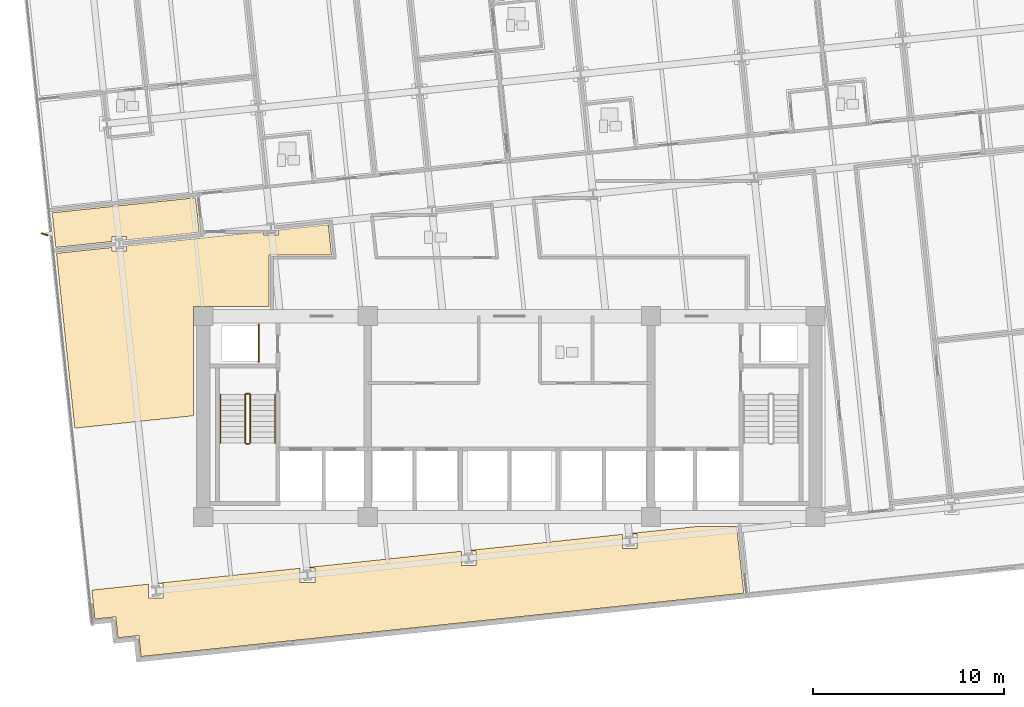
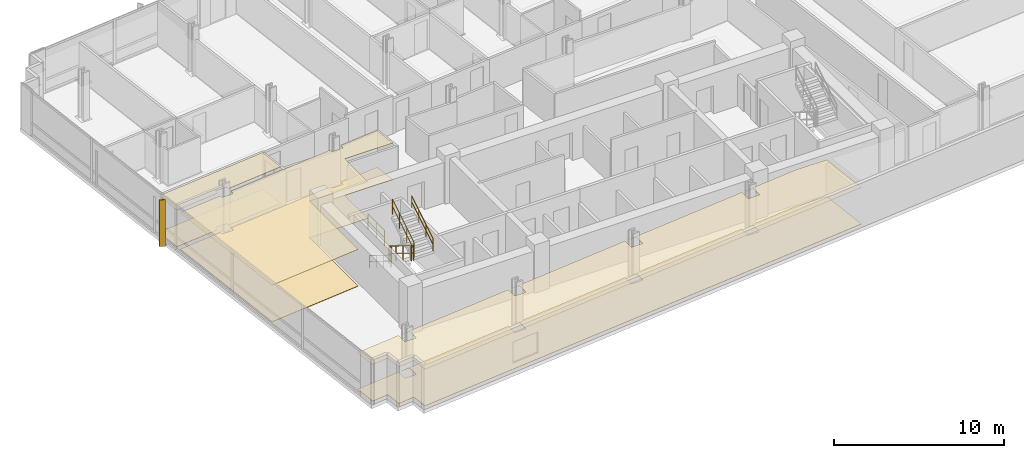
# One storey, part 15 of 20: 7 railings, 6 coverings, 1 shading device.
"""IFC4 building model written with IfcOpenShell, lengths in metres."""

from ifc_helpers import new_model, si_unit, direction, frame, origin, origin_2d, place, context, subcontext, project, spatial, polyline, rectangle, circle, outline, extrude, material, layer, layer_set, type_object, element, save


model = new_model("IFC4")

# Units and contexts
model_context = context("Model", 3, precision=1e-05, world=origin(), true_north=direction((0.0, 1.0)))
body_context = subcontext(model_context, "Body", "Model", "MODEL_VIEW")
ifc_project = project(units=[si_unit("LENGTHUNIT", "METRE"), si_unit("AREAUNIT", "SQUARE_METRE"), si_unit("VOLUMEUNIT", "CUBIC_METRE"), si_unit("PLANEANGLEUNIT", "RADIAN"), si_unit("MASSUNIT", "GRAM", prefix="KILO")], contexts=[model_context])

# Site, building, storey
site_placement = place(None, origin())
site = spatial("IfcSite", under=ifc_project, at=site_placement, CompositionType="ELEMENT")
building_placement = place(site_placement, origin())
building = spatial("IfcBuilding", under=site, at=building_placement, Name="Solmavex Isthmus Hotel", CompositionType="ELEMENT")
storey_placement = place(building_placement, frame((0.0, 0.0, 87.0)))
storey = spatial("IfcBuildingStorey", under=building, at=storey_placement, Name="L23", CompositionType="ELEMENT", Elevation=87.0)

# Coverings
ifc_material_1 = material(Name="Gypsum plasterboard lining", Category="gypsum")
ifc_layer_1 = layer(ifc_material_1, 0.030029296875)
ifc_layer_set_1 = layer_set([ifc_layer_1], Name="Gypsum plasterboard lining")
covering_type_1 = type_object("IfcCoveringType", Name="COV-CEIL-GYP", PredefinedType="CEILING", material=ifc_layer_set_1)
covering_1_placement = place(storey_placement, frame((0.0, 0.0, 2.6201171875)))
element("IfcCovering", 1, at=covering_1_placement, inside=storey, type_object=covering_type_1, Name="Suspended Acoustic Ceiling L23-FL11", PredefinedType="CEILING", context=body_context, shape_type="SweptSolid", body=[
    extrude(outline(polyline([(-16.20947265625, 1.88037109375), (-16.399658203125, 3.690185546875), (-23.896240234375, 2.90234375), (-23.7060546875, 1.09228515625), (-20.76318359375, 1.401611328125), (-20.76318359375, 1.665771484375), (-20.003173828125, 1.665771484375), (-20.003173828125, 1.4814453125), (-16.20947265625, 1.88037109375)])), origin(), (0.0, 0.0, 1.0), 0.02978515625),
])
covering_2_placement = place(storey_placement, frame((0.0, 0.0, 2.6201171875)))
element("IfcCovering", 2, at=covering_2_placement, inside=storey, type_object=covering_type_1, Name="Suspended Acoustic Ceiling L23-FL15", PredefinedType="CEILING", context=body_context, shape_type="SweptSolid", body=[
    extrude(outline(polyline([(-20.003173828125, 1.169921875), (-20.003173828125, 0.90576171875), (-20.76318359375, 0.90576171875), (-20.76318359375, 1.08984375), (-23.673583984375, 0.783935546875), (-23.130615234375, -4.382568359375), (-22.713134765625, -8.355712890625), (-16.5048828125, -7.703125), (-16.5048828125, -1.9951171875), (-12.554931640625, -1.9951171875), (-12.554931640625, 0.705078125), (-9.295654296875, 0.705078125), (-9.4609375, 2.27783203125), (-12.078857421875, 2.002685546875), (-12.078857421875, 1.738525390625), (-12.8388671875, 1.738525390625), (-12.8388671875, 1.9228515625), (-20.003173828125, 1.169921875)])), origin(), (0.0, 0.0, 1.0), 0.02978515625),
])
covering_3_placement = place(storey_placement, frame((0.0, 0.0, 2.6201171875)))
element("IfcCovering", 3, at=covering_3_placement, inside=storey, type_object=covering_type_1, Name="Suspended Acoustic Ceiling L23-FL18", PredefinedType="CEILING", context=body_context, shape_type="SweptSolid", body=[
    extrude(outline(polyline([(-20.57080078125, -18.2158203125), (-20.455810546875, -19.3095703125), (-19.36181640625, -19.194580078125), (-19.246826171875, -20.28857421875), (-18.42626953125, -20.202392578125), (12.249755859375, -16.978271484375), (11.884765625, -13.5048828125), (9.70703125, -13.5048828125), (6.124755859375, -13.881591796875), (6.668212890625, -13.881591796875), (6.668212890625, -14.6416015625), (5.908203125, -14.6416015625), (5.908203125, -13.904296875), (-2.294921875, -14.766357421875), (-1.75146484375, -14.766357421875), (-1.75146484375, -15.5263671875), (-2.511474609375, -15.5263671875), (-2.511474609375, -14.789306640625), (-10.714599609375, -15.6513671875), (-10.171142578125, -15.6513671875), (-10.171142578125, -16.411376953125), (-10.93115234375, -16.411376953125), (-10.93115234375, -15.674072265625), (-18.638916015625, -16.484375), (-18.095458984375, -16.484375), (-18.095458984375, -17.244384765625), (-18.85546875, -17.244384765625), (-18.85546875, -16.507080078125), (-21.823486328125, -16.819091796875), (-21.7509765625, -17.51025390625), (-21.66455078125, -18.33056640625), (-20.57080078125, -18.2158203125)])), origin(), (0.0, 0.0, 1.0), 0.02978515625),
])
ifc_material_2 = material(Name="Travertine natural stone", Category="masonry")
ifc_layer_2 = layer(ifc_material_2, 0.02490234375)
ifc_layer_set_2 = layer_set([ifc_layer_2], Name="Travertine natural stone")
covering_type_2 = type_object("IfcCoveringType", Name="COV-FLOR-STN", PredefinedType="FLOORING", material=ifc_layer_set_2)
covering_4_placement = place(storey_placement, origin())
element("IfcCovering", 4, at=covering_4_placement, inside=storey, type_object=covering_type_2, Name="Stone and Timber Floor Finish L23-FL11", PredefinedType="FLOORING", context=body_context, shape_type="SweptSolid", body=[
    extrude(outline(polyline([(-16.20947265625, 1.88037109375), (-16.399658203125, 3.690185546875), (-23.896240234375, 2.90234375), (-23.7060546875, 1.09228515625), (-20.76318359375, 1.401611328125), (-20.76318359375, 1.665771484375), (-20.003173828125, 1.665771484375), (-20.003173828125, 1.4814453125), (-16.20947265625, 1.88037109375)])), origin(), (0.0, 0.0, 1.0), 0.02490234375),
])
covering_5_placement = place(storey_placement, origin())
element("IfcCovering", 5, at=covering_5_placement, inside=storey, type_object=covering_type_2, Name="Stone and Timber Floor Finish L23-FL15", PredefinedType="FLOORING", context=body_context, shape_type="SweptSolid", body=[
    extrude(outline(polyline([(-20.003173828125, 1.169921875), (-20.003173828125, 0.90576171875), (-20.76318359375, 0.90576171875), (-20.76318359375, 1.08984375), (-23.673583984375, 0.783935546875), (-23.130615234375, -4.382568359375), (-22.713134765625, -8.355712890625), (-16.5048828125, -7.703125), (-16.5048828125, -1.9951171875), (-12.554931640625, -1.9951171875), (-12.554931640625, 0.705078125), (-9.295654296875, 0.705078125), (-9.4609375, 2.27783203125), (-12.078857421875, 2.002685546875), (-12.078857421875, 1.738525390625), (-12.8388671875, 1.738525390625), (-12.8388671875, 1.9228515625), (-20.003173828125, 1.169921875)])), origin(), (0.0, 0.0, 1.0), 0.02490234375),
])
covering_6_placement = place(storey_placement, origin())
element("IfcCovering", 6, at=covering_6_placement, inside=storey, type_object=covering_type_2, Name="Stone and Timber Floor Finish L23-FL18", PredefinedType="FLOORING", context=body_context, shape_type="SweptSolid", body=[
    extrude(outline(polyline([(-20.57080078125, -18.2158203125), (-20.455810546875, -19.3095703125), (-19.36181640625, -19.194580078125), (-19.246826171875, -20.28857421875), (-18.42626953125, -20.202392578125), (12.249755859375, -16.978271484375), (11.884765625, -13.5048828125), (9.70703125, -13.5048828125), (6.124755859375, -13.881591796875), (6.668212890625, -13.881591796875), (6.668212890625, -14.6416015625), (5.908203125, -14.6416015625), (5.908203125, -13.904296875), (-2.294921875, -14.766357421875), (-1.75146484375, -14.766357421875), (-1.75146484375, -15.5263671875), (-2.511474609375, -15.5263671875), (-2.511474609375, -14.789306640625), (-10.714599609375, -15.6513671875), (-10.171142578125, -15.6513671875), (-10.171142578125, -16.411376953125), (-10.93115234375, -16.411376953125), (-10.93115234375, -15.674072265625), (-18.638916015625, -16.484375), (-18.095458984375, -16.484375), (-18.095458984375, -17.244384765625), (-18.85546875, -17.244384765625), (-18.85546875, -16.507080078125), (-21.823486328125, -16.819091796875), (-21.7509765625, -17.51025390625), (-21.66455078125, -18.33056640625), (-20.57080078125, -18.2158203125)])), origin(), (0.0, 0.0, 1.0), 0.02490234375),
])

# Railings
ifc_material_3 = material(Name="Clear low-E laminated glass", Category="glass")
ifc_layer_3 = layer(ifc_material_3, 0.080078125)
ifc_layer_set_3 = layer_set([ifc_layer_3], Name="Clear low-E laminated glass")
railing_type_1 = type_object("IfcRailingType", Name="RAIL-ATRIUM-1120", PredefinedType="BALUSTRADE", material=ifc_layer_set_3)
railing_1_placement = place(storey_placement, frame((-13.10009765625, -4.89990234375, 0.0)))
element("IfcRailing", 7, at=railing_1_placement, inside=storey, type_object=railing_type_1, Name="Guardrail Balustrade L23-RSW-01", PredefinedType="BALUSTRADE", context=body_context, shape_type="SweptSolid", body=[
    extrude(circle(Radius=0.02392578125, at=origin_2d()), frame((0.0, 0.0, 1.1259765625), z_axis=(0.0, 1.0, 0.0), x_axis=(-1.0, 0.0, 0.0)), (0.0, 0.0, 1.0), 1.949951171875),
    extrude(circle(Radius=0.02392578125, at=origin_2d()), frame((0.0, 0.0, 0.574951171875), z_axis=(0.0, 1.0, 0.0), x_axis=(-1.0, 0.0, 0.0)), (0.0, 0.0, 1.0), 1.949951171875),
    extrude(circle(Radius=0.02099609375, at=origin_2d()), origin(), (0.0, 0.0, 1.0), 1.101806640625),
    extrude(circle(Radius=0.02099609375, at=origin_2d()), frame((0.0, 0.97509765625, 0.0)), (0.0, 0.0, 1.0), 1.101806640625),
    extrude(circle(Radius=0.02099609375, at=origin_2d()), frame((0.0, 1.949951171875, 0.0)), (0.0, 0.0, 1.0), 1.101806640625),
])
ifc_material_4 = material(Name="Stainless steel 316", Category="steel")
ifc_layer_4 = layer(ifc_material_4, 0.06005859375)
ifc_layer_set_4 = layer_set([ifc_layer_4], Name="Stainless steel 316")
railing_type_2 = type_object("IfcRailingType", Name="RAIL-STAIR-GD", PredefinedType="GUARDRAIL", material=ifc_layer_set_4)
railing_2_placement = place(storey_placement, frame((-13.800048828125, -6.60009765625, 0.172607421875)))
element("IfcRailing", 8, at=railing_2_placement, inside=storey, type_object=railing_type_2, Name="L23 ST-1 stair guard 1", PredefinedType="GUARDRAIL", context=body_context, shape_type="SweptSolid", body=[
    extrude(circle(Radius=0.02392578125, at=origin_2d()), frame((0.0, 0.0, 1.09619140625), z_axis=(0.0, -0.851400495292, 0.524516154772), x_axis=(1.0, 0.0, 0.0)), (0.0, 0.0, 1.0), 2.9599609375),
    extrude(circle(Radius=0.02392578125, at=origin_2d()), frame((0.0, 0.0, 0.56005859375), z_axis=(0.0, -0.851400495292, 0.524516154772), x_axis=(1.0, 0.0, 0.0)), (0.0, 0.0, 1.0), 2.9599609375),
    extrude(circle(Radius=0.02099609375, at=origin_2d()), origin(), (0.0, 0.0, 1.0), 1.072021484375),
    extrude(circle(Radius=0.02099609375, at=origin_2d()), frame((0.0, -0.840087890625, 0.517578125)), (0.0, 0.0, 1.0), 1.072021484375),
    extrude(circle(Radius=0.02099609375, at=origin_2d()), frame((0.0, -1.679931640625, 1.034912109375)), (0.0, 0.0, 1.0), 1.072021484375),
    extrude(circle(Radius=0.02099609375, at=origin_2d()), frame((0.0, -2.52001953125, 1.552490234375)), (0.0, 0.0, 1.0), 1.072021484375),
])
railing_3_placement = place(storey_placement, frame((-13.75, -9.169921875, 1.72509765625)))
element("IfcRailing", 9, at=railing_3_placement, inside=storey, type_object=railing_type_2, Name="L23 ST-1 stair guard 2", PredefinedType="GUARDRAIL", context=body_context, shape_type="SweptSolid", body=[
    extrude(circle(Radius=0.02392578125, at=origin_2d()), frame((0.0, 0.0, 1.09619140625), z_axis=(1.0, 0.0, 0.0), x_axis=(0.0, 1.0, 0.0)), (0.0, 0.0, 1.0), 0.14990234375),
    extrude(circle(Radius=0.02392578125, at=origin_2d()), frame((0.0, 0.0, 0.56005859375), z_axis=(1.0, 0.0, 0.0), x_axis=(0.0, 1.0, 0.0)), (0.0, 0.0, 1.0), 0.14990234375),
    extrude(circle(Radius=0.02099609375, at=origin_2d()), origin(), (0.0, 0.0, 1.0), 1.072021484375),
    extrude(circle(Radius=0.02099609375, at=origin_2d()), frame((0.14990234375, 0.0, 0.0)), (0.0, 0.0, 1.0), 1.072021484375),
])
railing_4_placement = place(storey_placement, frame((-13.550048828125, -9.1201171875, 1.8974609375)))
element("IfcRailing", 10, at=railing_4_placement, inside=storey, type_object=railing_type_2, Name="L23 ST-1 stair guard 3", PredefinedType="GUARDRAIL", context=body_context, shape_type="SweptSolid", body=[
    extrude(circle(Radius=0.02392578125, at=origin_2d()), frame((0.0, 0.0, 1.09619140625), z_axis=(0.0, 0.851400495292, 0.524516154772), x_axis=(-1.0, 0.0, 0.0)), (0.0, 0.0, 1.0), 2.9599609375),
    extrude(circle(Radius=0.02392578125, at=origin_2d()), frame((0.0, 0.0, 0.56005859375), z_axis=(0.0, 0.851400495292, 0.524516154772), x_axis=(-1.0, 0.0, 0.0)), (0.0, 0.0, 1.0), 2.9599609375),
    extrude(circle(Radius=0.02099609375, at=origin_2d()), origin(), (0.0, 0.0, 1.0), 1.072021484375),
    extrude(circle(Radius=0.02099609375, at=origin_2d()), frame((0.0, 0.840087890625, 0.517578125)), (0.0, 0.0, 1.0), 1.072021484375),
    extrude(circle(Radius=0.02099609375, at=origin_2d()), frame((0.0, 1.679931640625, 1.034912109375)), (0.0, 0.0, 1.0), 1.072021484375),
    extrude(circle(Radius=0.02099609375, at=origin_2d()), frame((0.0, 2.52001953125, 1.552490234375)), (0.0, 0.0, 1.0), 1.072021484375),
])
railing_5_placement = place(storey_placement, frame((-13.75, -6.550048828125, 0.0)))
element("IfcRailing", 11, at=railing_5_placement, inside=storey, type_object=railing_type_2, Name="L23 ST-1 stair guard 4", PredefinedType="GUARDRAIL", context=body_context, shape_type="SweptSolid", body=[
    extrude(circle(Radius=0.02392578125, at=origin_2d()), frame((0.0, 0.0, 1.09619140625), z_axis=(1.0, 0.0, 0.0), x_axis=(0.0, 1.0, 0.0)), (0.0, 0.0, 1.0), 0.14990234375),
    extrude(circle(Radius=0.02392578125, at=origin_2d()), frame((0.0, 0.0, 0.56005859375), z_axis=(1.0, 0.0, 0.0), x_axis=(0.0, 1.0, 0.0)), (0.0, 0.0, 1.0), 0.14990234375),
    extrude(circle(Radius=0.02099609375, at=origin_2d()), origin(), (0.0, 0.0, 1.0), 1.072021484375),
    extrude(circle(Radius=0.02099609375, at=origin_2d()), frame((0.14990234375, 0.0, 0.0)), (0.0, 0.0, 1.0), 1.072021484375),
])
ifc_layer_5 = layer(ifc_material_4, 0.050048828125)
ifc_layer_set_5 = layer_set([ifc_layer_5], Name="Stainless steel 316")
railing_type_3 = type_object("IfcRailingType", Name="RAIL-STAIR-HR", PredefinedType="HANDRAIL", material=ifc_layer_set_5)
railing_6_placement = place(storey_placement, frame((-15.10009765625, -6.60009765625, 0.172607421875)))
element("IfcRailing", 12, at=railing_6_placement, inside=storey, type_object=railing_type_3, Name="L23 ST-1 stair handrail 1", PredefinedType="HANDRAIL", context=body_context, shape_type="SweptSolid", body=[
    extrude(circle(Radius=0.02392578125, at=origin_2d()), frame((0.0, 0.0, 0.8759765625), z_axis=(0.0, -0.851400495292, 0.524516154772), x_axis=(1.0, 0.0, 0.0)), (0.0, 0.0, 1.0), 2.9599609375),
    extrude(circle(Radius=0.02392578125, at=origin_2d()), frame((0.0, 0.0, 0.449951171875), z_axis=(0.0, -0.851400495292, 0.524516154772), x_axis=(1.0, 0.0, 0.0)), (0.0, 0.0, 1.0), 2.9599609375),
    extrude(circle(Radius=0.02099609375, at=origin_2d()), origin(), (0.0, 0.0, 1.0), 0.851806640625),
    extrude(circle(Radius=0.02099609375, at=origin_2d()), frame((0.0, -0.840087890625, 0.517578125)), (0.0, 0.0, 1.0), 0.851806640625),
    extrude(circle(Radius=0.02099609375, at=origin_2d()), frame((0.0, -1.679931640625, 1.034912109375)), (0.0, 0.0, 1.0), 0.851806640625),
    extrude(circle(Radius=0.02099609375, at=origin_2d()), frame((0.0, -2.52001953125, 1.552490234375)), (0.0, 0.0, 1.0), 0.851806640625),
])
railing_7_placement = place(storey_placement, frame((-12.25, -9.1201171875, 1.8974609375)))
element("IfcRailing", 13, at=railing_7_placement, inside=storey, type_object=railing_type_3, Name="L23 ST-1 stair handrail 2", PredefinedType="HANDRAIL", context=body_context, shape_type="SweptSolid", body=[
    extrude(circle(Radius=0.02392578125, at=origin_2d()), frame((0.0, 0.0, 0.8759765625), z_axis=(0.0, 0.851400495292, 0.524516154772), x_axis=(-1.0, 0.0, 0.0)), (0.0, 0.0, 1.0), 2.9599609375),
    extrude(circle(Radius=0.02392578125, at=origin_2d()), frame((0.0, 0.0, 0.449951171875), z_axis=(0.0, 0.851400495292, 0.524516154772), x_axis=(-1.0, 0.0, 0.0)), (0.0, 0.0, 1.0), 2.9599609375),
    extrude(circle(Radius=0.02099609375, at=origin_2d()), origin(), (0.0, 0.0, 1.0), 0.851806640625),
    extrude(circle(Radius=0.02099609375, at=origin_2d()), frame((0.0, 0.840087890625, 0.517578125)), (0.0, 0.0, 1.0), 0.851806640625),
    extrude(circle(Radius=0.02099609375, at=origin_2d()), frame((0.0, 1.679931640625, 1.034912109375)), (0.0, 0.0, 1.0), 0.851806640625),
    extrude(circle(Radius=0.02099609375, at=origin_2d()), frame((0.0, 2.52001953125, 1.552490234375)), (0.0, 0.0, 1.0), 0.851806640625),
])

# Shading device
ifc_material_5 = material(Name="Aluminium alloy 6063-T6", Category="aluminium")
shading_device_type = type_object("IfcShadingDeviceType", Name="SHD-FIN-CHAMP", PredefinedType="USERDEFINED", material=ifc_material_5)
shading_device_placement = place(storey_placement, frame((-24.296142578125, 1.779541015625, -0.14013671875), z_axis=(0.0, 0.0, 1.0), x_axis=(-0.951056516295, 0.309016994375, 0.0)))
element("IfcShadingDevice", 14, at=shading_device_placement, inside=storey, type_object=shading_device_type, Name="Anodised Aluminium Solar Fin L23-W1", ObjectType="SOLAR_FIN", PredefinedType="USERDEFINED", context=body_context, shape_type="SweptSolid", body=[
    extrude(rectangle(XDim=0.3798828125, YDim=0.070068359375, at=origin_2d()), origin(), (0.0, 0.0, 1.0), 3.330078125),
])

save(model, "model.ifc")
